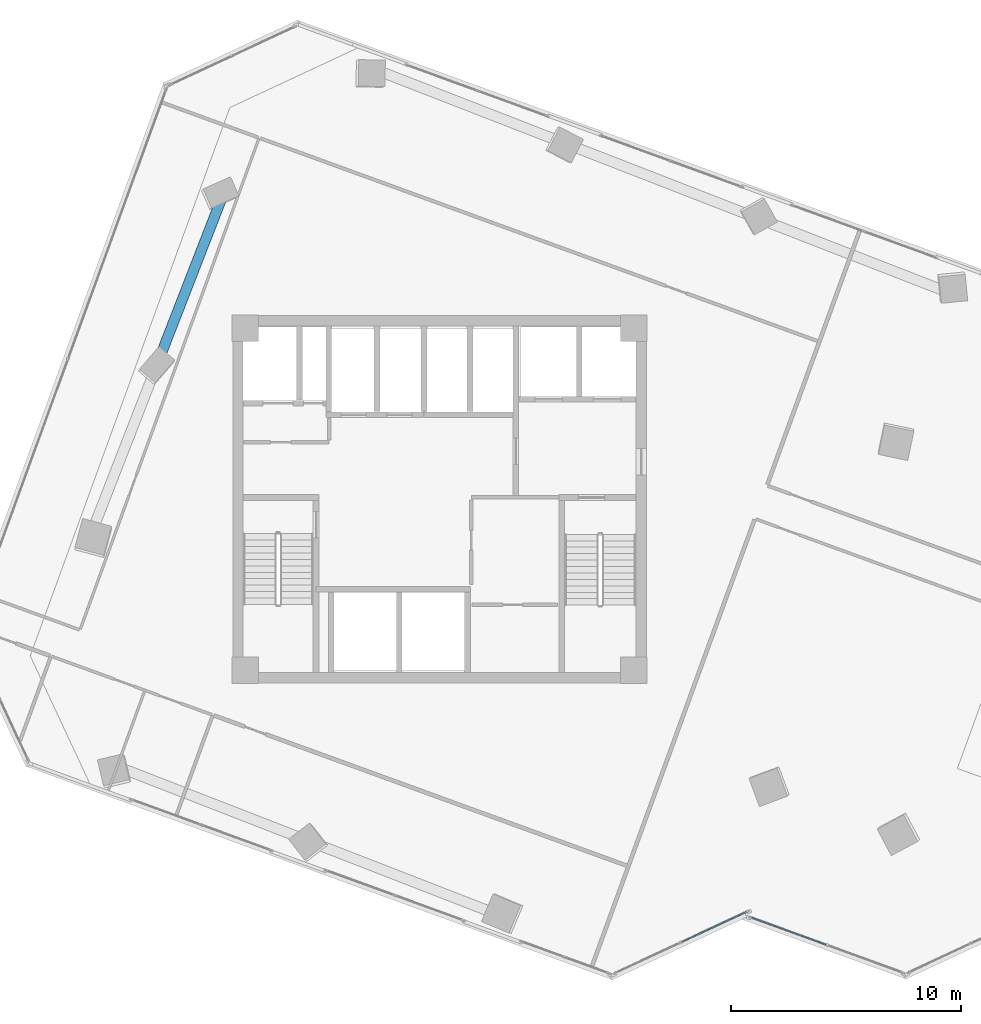
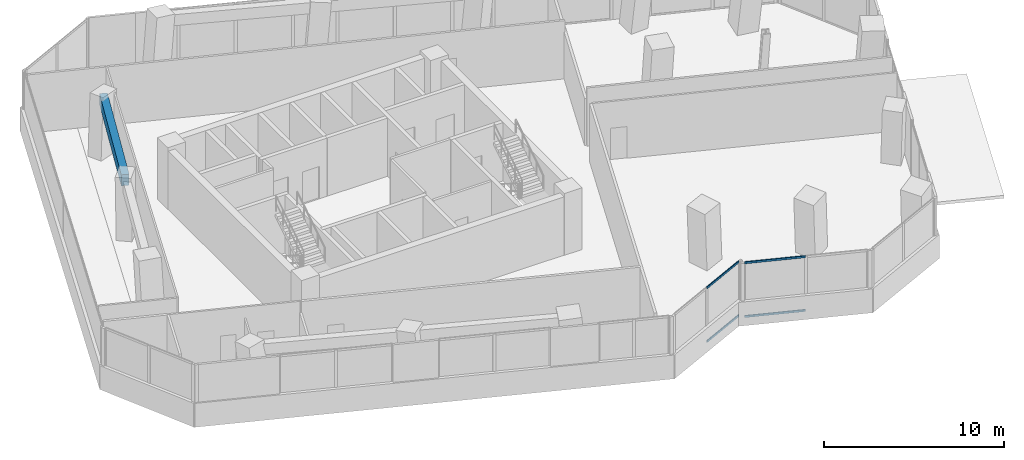
# One storey, part 7 of 21: 4 members, 1 beam, 2 elements without a shape of their own.
"""IFC4 building model written with IfcOpenShell, lengths in metres."""

from ifc_helpers import new_model, si_unit, direction, frame, origin, origin_2d, place, context, subcontext, project, spatial, rectangle, hollow_rectangle, extrude, source, transform, mapped, material, material_profile, profile_set, type_object, element, aggregate, save


model = new_model("IFC4")

# Units and contexts
model_context = context("Model", 3, precision=1e-05, world=origin(), true_north=direction((0.0, 1.0)))
body_context = subcontext(model_context, "Body", "Model", "MODEL_VIEW")
ifc_project = project(units=[si_unit("LENGTHUNIT", "METRE"), si_unit("AREAUNIT", "SQUARE_METRE"), si_unit("VOLUMEUNIT", "CUBIC_METRE"), si_unit("PLANEANGLEUNIT", "RADIAN"), si_unit("MASSUNIT", "GRAM", prefix="KILO")], contexts=[model_context])

# Site, building, storey
site_placement = place(None, origin())
site = spatial("IfcSite", under=ifc_project, at=site_placement, CompositionType="ELEMENT")
building_placement = place(site_placement, origin())
building = spatial("IfcBuilding", under=site, at=building_placement, Name="Torre Montelarca", CompositionType="ELEMENT")
storey_placement = place(building_placement, frame((0.0, 0.0, 133.0)))
storey = spatial("IfcBuildingStorey", under=building, at=storey_placement, Name="L29", CompositionType="ELEMENT", Elevation=133.0)

# Beam
ifc_material_1 = material(Name="Concrete C55/67", Category="concrete")
ifc_material_profile_1 = material_profile(ifc_material_1, rectangle(XDim=0.449951171875, YDim=0.75, at=origin_2d()), Name="RCB450X750", Category="concrete")
ifc_profile_set_1 = profile_set([ifc_material_profile_1], Name="Concrete C55/67")
beam_type = type_object("IfcBeamType", Name="BM-SP-RC750-EXT", PredefinedType="SPANDREL", material=ifc_profile_set_1)
shared_shape_1 = source(origin(), body_context, "Body", "SweptSolid", [
    extrude(rectangle(XDim=0.449951171875, YDim=0.75, at=origin_2d()), origin(), (0.0, 0.0, 1.0), 7.999755859375),
])
beam_placement = place(storey_placement, frame((5.795654296875, 38.107177734375, 3.5849609375), z_axis=(0.362465406584, 0.93199722587, 0.0), x_axis=(-0.93199722587, 0.362465406584, 0.0)))
element("IfcBeam", 1, at=beam_placement, inside=storey, type_object=beam_type, Name="L29 Grid Girder Y 32.0-40.0 at X=4.7", PredefinedType="SPANDREL", context=body_context, shape_type="MappedRepresentation", body=[
    mapped(shared_shape_1, transform((0.0, 0.0, 0.0), scale=1.0)),
])

# Curtain wall, members
ifc_material_2 = material(Name="Insulated low-E laminated glass", Category="glass")
curtain_wall_type = type_object("IfcCurtainWallType", Name="CW-SYS-Z2", PredefinedType="USERDEFINED", material=ifc_material_2)
curtain_wall_1_placement = place(storey_placement, origin())
curtain_wall_1 = element("IfcCurtainWall", 2, at=curtain_wall_1_placement, inside=storey, type_object=curtain_wall_type, Name="L29 Curtain Wall Run CW-T3-L29-E02-B1", ObjectType="UNITISED GLAZING", PredefinedType="USERDEFINED")
ifc_material_3 = material(Name="Anodised aluminium AA 6063-T6", Category="aluminium")
ifc_material_profile_2 = material_profile(ifc_material_3, hollow_rectangle(XDim=0.06494140625, YDim=0.139892578125, WallThickness=0.00390625, InnerFilletRadius=0.00390625, OuterFilletRadius=0.008056640625, at=origin_2d()), Name="ALU65X140X4", Category="aluminium")
ifc_profile_set_2 = profile_set([ifc_material_profile_2], Name="Anodised aluminium AA 6063-T6")
member_type = type_object("IfcMemberType", Name="CWT-ALU140", PredefinedType="USERDEFINED", material=ifc_profile_set_2)
shared_shape_2 = source(origin(), body_context, "Body", "SweptSolid", [
    extrude(hollow_rectangle(XDim=0.06494140625, YDim=0.139892578125, WallThickness=0.00390625, InnerFilletRadius=0.00390625, OuterFilletRadius=0.008056640625, at=origin_2d()), origin(), (0.0, 0.0, 1.0), 3.102294921875),
])
member_1_placement = place(storey_placement, frame((28.54296875, 12.7236328125, 0.032470703125), z_axis=(0.906321811417, 0.422588185058, 0.0), x_axis=(-0.422588185058, 0.906321811417, 0.0)))
member_1 = element("IfcMember", 3, at=member_1_placement, type_object=member_type, Name="CW transom 2.1", ObjectType="TRANSOM", PredefinedType="USERDEFINED", context=body_context, shape_type="MappedRepresentation", body=[
    mapped(shared_shape_2, transform((0.0, 0.0, 0.0), scale=1.0)),
])
member_2_placement = place(storey_placement, frame((28.54296875, 12.7236328125, 3.6875), z_axis=(0.906321811417, 0.422588185058, 0.0), x_axis=(-0.422588185058, 0.906321811417, 0.0)))
member_2 = element("IfcMember", 4, at=member_2_placement, type_object=member_type, Name="CW transom 2.2", ObjectType="TRANSOM", PredefinedType="USERDEFINED", context=body_context, shape_type="MappedRepresentation", body=[
    mapped(shared_shape_2, transform((0.0, 0.0, 0.0), scale=1.0)),
])
aggregate(curtain_wall_1, [member_1, member_2])

curtain_wall_2_placement = place(storey_placement, origin())
curtain_wall_2 = element("IfcCurtainWall", 5, at=curtain_wall_2_placement, inside=storey, type_object=curtain_wall_type, Name="L29 Curtain Wall Run CW-T3-L29-E04-B1", ObjectType="UNITISED GLAZING", PredefinedType="USERDEFINED")
shared_shape_3 = source(origin(), body_context, "Body", "SweptSolid", [
    extrude(hollow_rectangle(XDim=0.06494140625, YDim=0.139892578125, WallThickness=0.00390625, InnerFilletRadius=0.00390625, OuterFilletRadius=0.008056640625, at=origin_2d()), origin(), (0.0, 0.0, 1.0), 3.448486328125),
])
member_3_placement = place(storey_placement, frame((31.58447265625, 13.7822265625, 0.032470703125), z_axis=(0.939692095614, -0.342021586221, 0.0), x_axis=(0.342021586221, 0.939692095614, 0.0)))
member_3 = element("IfcMember", 6, at=member_3_placement, type_object=member_type, Name="CW transom 1.1", ObjectType="TRANSOM", PredefinedType="USERDEFINED", context=body_context, shape_type="MappedRepresentation", body=[
    mapped(shared_shape_3, transform((0.0, 0.0, 0.0), scale=1.0)),
])
member_4_placement = place(storey_placement, frame((31.58447265625, 13.7822265625, 3.6875), z_axis=(0.939692095614, -0.342021586221, 0.0), x_axis=(0.342021586221, 0.939692095614, 0.0)))
member_4 = element("IfcMember", 7, at=member_4_placement, type_object=member_type, Name="CW transom 1.2", ObjectType="TRANSOM", PredefinedType="USERDEFINED", context=body_context, shape_type="MappedRepresentation", body=[
    mapped(shared_shape_3, transform((0.0, 0.0, 0.0), scale=1.0)),
])
aggregate(curtain_wall_2, [member_3, member_4])

save(model, "model.ifc")
